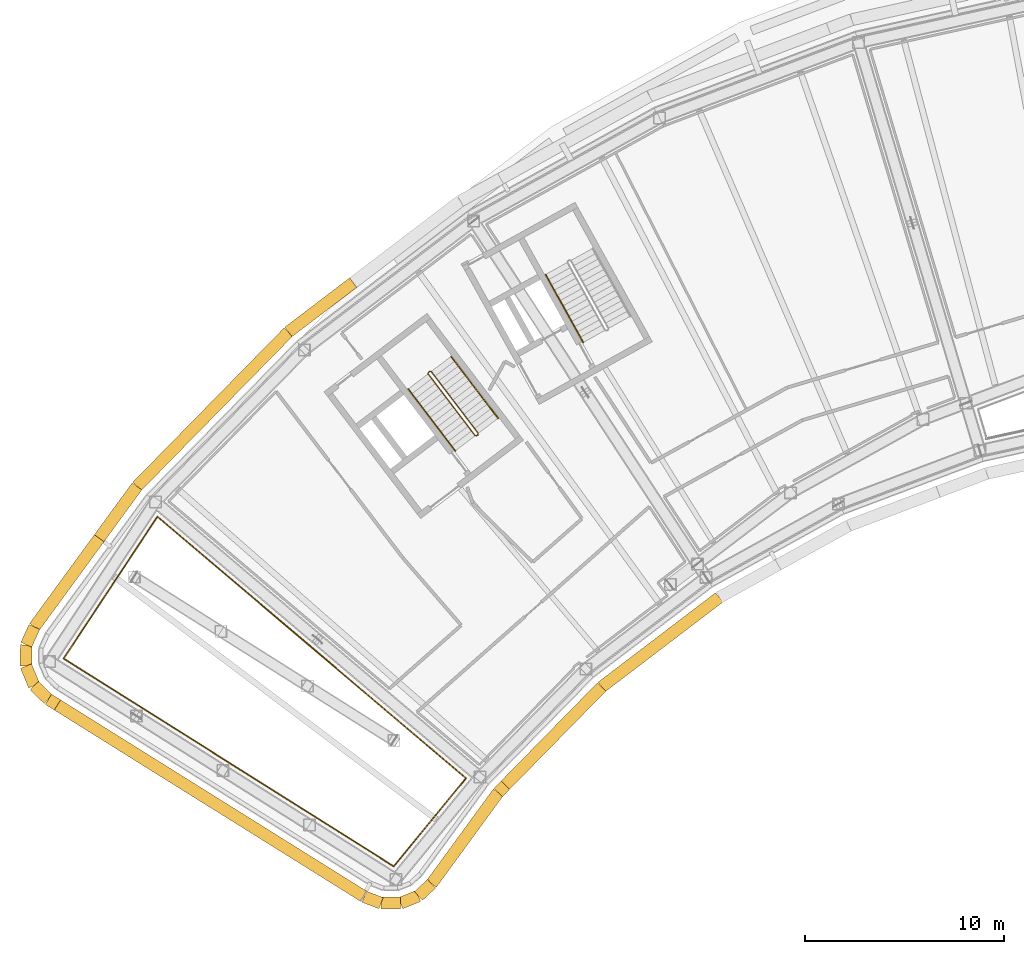
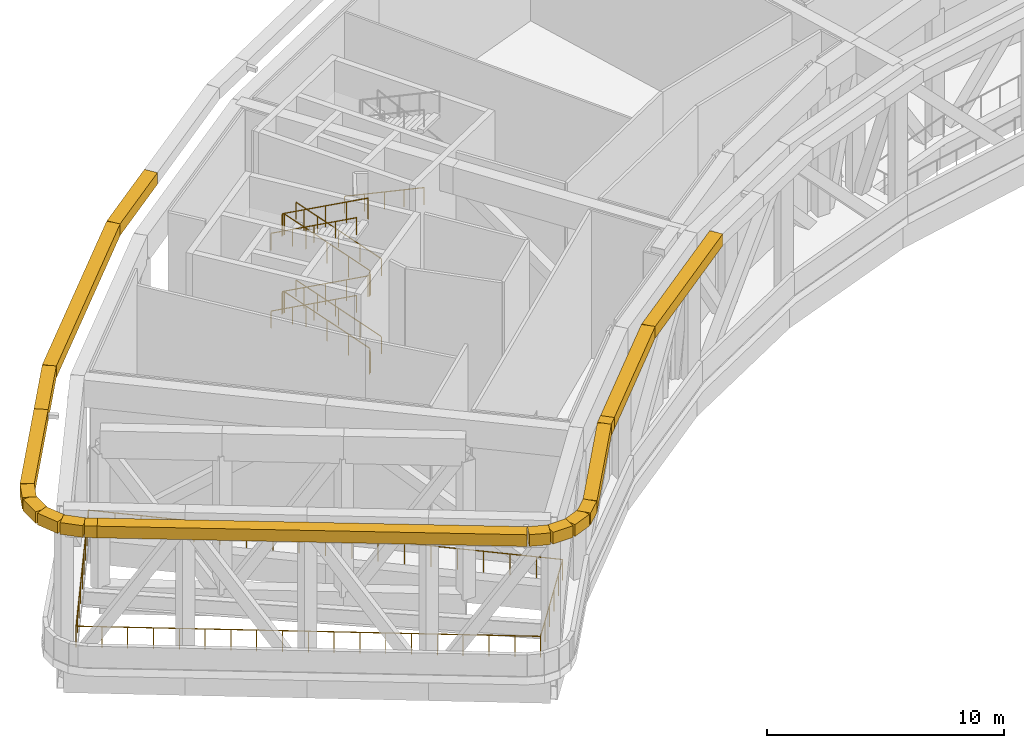
# One storey, part 20 of 24: 18 coverings, 12 railings.
"""IFC4 building model written with IfcOpenShell, lengths in metres."""

from ifc_helpers import new_model, si_unit, direction, frame, origin, origin_2d, place, context, subcontext, project, spatial, rectangle, circle, extrude, material, material_profile, profile_set, type_object, element, save


model = new_model("IFC4")

# Units and contexts
model_context = context("Model", 3, precision=1e-05, world=origin(), true_north=direction((0.0, 1.0)))
body_context = subcontext(model_context, "Body", "Model", "MODEL_VIEW")
ifc_project = project(units=[si_unit("LENGTHUNIT", "METRE"), si_unit("AREAUNIT", "SQUARE_METRE"), si_unit("VOLUMEUNIT", "CUBIC_METRE"), si_unit("PLANEANGLEUNIT", "RADIAN"), si_unit("MASSUNIT", "GRAM", prefix="KILO")], contexts=[model_context])

# Site, building, storey
site_placement = place(None, origin())
site = spatial("IfcSite", under=ifc_project, at=site_placement, CompositionType="ELEMENT")
building_placement = place(site_placement, origin())
building = spatial("IfcBuilding", under=site, at=building_placement, Name="Tuul Gate Civic Tower", CompositionType="ELEMENT")
storey_placement = place(building_placement, frame((0.0, 0.0, 277.800048828125)))
storey = spatial("IfcBuildingStorey", under=building, at=storey_placement, Name="Wind floor 2", CompositionType="ELEMENT", Elevation=277.800048828125)

# Railings
ifc_material_1 = material(Name="Painted steel", Category="steel")
railing_type_1 = type_object("IfcRailingType", Name="Slot guard", PredefinedType="GUARDRAIL", material=ifc_material_1)
railing_1_placement = place(storey_placement, frame((-37.61962890625, -35.1767578125, 0.0)))
element("IfcRailing", 1, at=railing_1_placement, inside=storey, type_object=railing_type_1, Name="Guard", PredefinedType="GUARDRAIL", context=body_context, shape_type="SweptSolid", body=[
    extrude(circle(Radius=0.02392578125, at=origin_2d()), frame((0.0, 0.0, 1.076171875), z_axis=(0.634392496784, 0.773011099547, 0.0), x_axis=(-0.773011099547, 0.634392496784, 0.0)), (0.0, 0.0, 1.0), 5.71875),
    extrude(circle(Radius=0.02099609375, at=origin_2d()), origin(), (0.0, 0.0, 1.0), 1.052001953125),
    extrude(circle(Radius=0.02099609375, at=origin_2d()), frame((0.7255859375, 0.884033203125, 0.0)), (0.0, 0.0, 1.0), 1.052001953125),
    extrude(circle(Radius=0.02099609375, at=origin_2d()), frame((1.451171875, 1.768310546875, 0.0)), (0.0, 0.0, 1.0), 1.052001953125),
    extrude(circle(Radius=0.02099609375, at=origin_2d()), frame((2.1767578125, 2.65234375, 0.0)), (0.0, 0.0, 1.0), 1.052001953125),
    extrude(circle(Radius=0.02099609375, at=origin_2d()), frame((2.90234375, 3.53662109375, 0.0)), (0.0, 0.0, 1.0), 1.052001953125),
    extrude(circle(Radius=0.02099609375, at=origin_2d()), frame((3.6279296875, 4.420654296875, 0.0)), (0.0, 0.0, 1.0), 1.052001953125),
])
for number, where, name in (
    (2, (-33.99169921875, -30.756103515625, 0.0), "Guard"),
    (3, (-41.734619140625, -24.19287109375, 0.0), "Guard"),
):
    element("IfcRailing", number, at=place(storey_placement, frame(where)), inside=storey, type_object=railing_type_1, Name=name, PredefinedType="GUARDRAIL", context=body_context, shape_type="SweptSolid", body=[
        extrude(circle(Radius=0.02392578125, at=origin_2d()), frame((0.0, 0.0, 1.076171875), z_axis=(-0.7628258233, 0.646604023578, 0.0), x_axis=(-0.646604023578, -0.7628258233, 0.0)), (0.0, 0.0, 1.0), 10.150390625),
        extrude(circle(Radius=0.02099609375, at=origin_2d()), origin(), (0.0, 0.0, 1.0), 1.052001953125),
        extrude(circle(Radius=0.02099609375, at=origin_2d()), frame((-0.8603515625, 0.729248046875, 0.0)), (0.0, 0.0, 1.0), 1.052001953125),
        extrude(circle(Radius=0.02099609375, at=origin_2d()), frame((-1.720703125, 1.45849609375, 0.0)), (0.0, 0.0, 1.0), 1.052001953125),
        extrude(circle(Radius=0.02099609375, at=origin_2d()), frame((-2.5810546875, 2.187744140625, 0.0)), (0.0, 0.0, 1.0), 1.052001953125),
        extrude(circle(Radius=0.02099609375, at=origin_2d()), frame((-3.44140625, 2.9169921875, 0.0)), (0.0, 0.0, 1.0), 1.052001953125),
        extrude(circle(Radius=0.02099609375, at=origin_2d()), frame((-4.301513671875, 3.646240234375, 0.0)), (0.0, 0.0, 1.0), 1.052001953125),
        extrude(circle(Radius=0.02099609375, at=origin_2d()), frame((-5.161865234375, 4.37548828125, 0.0)), (0.0, 0.0, 1.0), 1.052001953125),
        extrude(circle(Radius=0.02099609375, at=origin_2d()), frame((-6.022216796875, 5.104736328125, 0.0)), (0.0, 0.0, 1.0), 1.052001953125),
        extrude(circle(Radius=0.02099609375, at=origin_2d()), frame((-6.882568359375, 5.833984375, 0.0)), (0.0, 0.0, 1.0), 1.052001953125),
        extrude(circle(Radius=0.02099609375, at=origin_2d()), frame((-7.742919921875, 6.563232421875, 0.0)), (0.0, 0.0, 1.0), 1.052001953125),
    ])
railing_2_placement = place(storey_placement, frame((-49.4775390625, -17.629638671875, 0.0)))
element("IfcRailing", 4, at=railing_2_placement, inside=storey, type_object=railing_type_1, Name="Guard", PredefinedType="GUARDRAIL", context=body_context, shape_type="SweptSolid", body=[
    extrude(circle(Radius=0.02392578125, at=origin_2d()), frame((0.0, 0.0, 1.076171875), z_axis=(-0.551599397514, -0.834109168312, 0.0), x_axis=(0.834109168312, -0.551599397514, 0.0)), (0.0, 0.0, 1.0), 8.531982421875),
    extrude(circle(Radius=0.02099609375, at=origin_2d()), origin(), (0.0, 0.0, 1.0), 1.052001953125),
    extrude(circle(Radius=0.02099609375, at=origin_2d()), frame((-0.58837890625, -0.8896484375, 0.0)), (0.0, 0.0, 1.0), 1.052001953125),
    extrude(circle(Radius=0.02099609375, at=origin_2d()), frame((-1.176513671875, -1.779296875, 0.0)), (0.0, 0.0, 1.0), 1.052001953125),
    extrude(circle(Radius=0.02099609375, at=origin_2d()), frame((-1.764892578125, -2.668701171875, 0.0)), (0.0, 0.0, 1.0), 1.052001953125),
    extrude(circle(Radius=0.02099609375, at=origin_2d()), frame((-2.35302734375, -3.558349609375, 0.0)), (0.0, 0.0, 1.0), 1.052001953125),
    extrude(circle(Radius=0.02099609375, at=origin_2d()), frame((-2.94140625, -4.447998046875, 0.0)), (0.0, 0.0, 1.0), 1.052001953125),
    extrude(circle(Radius=0.02099609375, at=origin_2d()), frame((-3.52978515625, -5.33740234375, 0.0)), (0.0, 0.0, 1.0), 1.052001953125),
    extrude(circle(Radius=0.02099609375, at=origin_2d()), frame((-4.117919921875, -6.22705078125, 0.0)), (0.0, 0.0, 1.0), 1.052001953125),
    extrude(circle(Radius=0.02099609375, at=origin_2d()), frame((-4.706298828125, -7.11669921875, 0.0)), (0.0, 0.0, 1.0), 1.052001953125),
])
railing_3_placement = place(storey_placement, frame((-54.183837890625, -24.746337890625, 0.0)))
element("IfcRailing", 5, at=railing_3_placement, inside=storey, type_object=railing_type_1, Name="Guard", PredefinedType="GUARDRAIL", context=body_context, shape_type="SweptSolid", body=[
    extrude(circle(Radius=0.02392578125, at=origin_2d()), frame((0.0, 0.0, 1.076171875), z_axis=(0.846198263712, -0.532868181158, 0.0), x_axis=(0.532868181158, 0.846198263712, 0.0)), (0.0, 0.0, 1.0), 9.787353515625),
    extrude(circle(Radius=0.02099609375, at=origin_2d()), origin(), (0.0, 0.0, 1.0), 1.052001953125),
    extrude(circle(Radius=0.02099609375, at=origin_2d()), frame((0.920166015625, -0.57958984375, 0.0)), (0.0, 0.0, 1.0), 1.052001953125),
    extrude(circle(Radius=0.02099609375, at=origin_2d()), frame((1.84033203125, -1.158935546875, 0.0)), (0.0, 0.0, 1.0), 1.052001953125),
    extrude(circle(Radius=0.02099609375, at=origin_2d()), frame((2.7607421875, -1.738525390625, 0.0)), (0.0, 0.0, 1.0), 1.052001953125),
    extrude(circle(Radius=0.02099609375, at=origin_2d()), frame((3.680908203125, -2.31787109375, 0.0)), (0.0, 0.0, 1.0), 1.052001953125),
    extrude(circle(Radius=0.02099609375, at=origin_2d()), frame((4.60107421875, -2.8974609375, 0.0)), (0.0, 0.0, 1.0), 1.052001953125),
    extrude(circle(Radius=0.02099609375, at=origin_2d()), frame((5.521240234375, -3.476806640625, 0.0)), (0.0, 0.0, 1.0), 1.052001953125),
    extrude(circle(Radius=0.02099609375, at=origin_2d()), frame((6.441650390625, -4.056396484375, 0.0)), (0.0, 0.0, 1.0), 1.052001953125),
    extrude(circle(Radius=0.02099609375, at=origin_2d()), frame((7.36181640625, -4.6357421875, 0.0)), (0.0, 0.0, 1.0), 1.052001953125),
    extrude(circle(Radius=0.02099609375, at=origin_2d()), frame((8.281982421875, -5.21533203125, 0.0)), (0.0, 0.0, 1.0), 1.052001953125),
])
railing_4_placement = place(storey_placement, frame((-45.90185546875, -29.961669921875, 0.0)))
element("IfcRailing", 6, at=railing_4_placement, inside=storey, type_object=railing_type_1, Name="Guard", PredefinedType="GUARDRAIL", context=body_context, shape_type="SweptSolid", body=[
    extrude(circle(Radius=0.02392578125, at=origin_2d()), frame((0.0, 0.0, 1.076171875), z_axis=(0.846216593929, -0.53283907154, 0.0), x_axis=(0.53283907154, 0.846216593929, 0.0)), (0.0, 0.0, 1.0), 9.787353515625),
    extrude(circle(Radius=0.02099609375, at=origin_2d()), origin(), (0.0, 0.0, 1.0), 1.052001953125),
    extrude(circle(Radius=0.02099609375, at=origin_2d()), frame((0.920166015625, -0.579345703125, 0.0)), (0.0, 0.0, 1.0), 1.052001953125),
    extrude(circle(Radius=0.02099609375, at=origin_2d()), frame((1.840576171875, -1.158935546875, 0.0)), (0.0, 0.0, 1.0), 1.052001953125),
    extrude(circle(Radius=0.02099609375, at=origin_2d()), frame((2.7607421875, -1.73828125, 0.0)), (0.0, 0.0, 1.0), 1.052001953125),
    extrude(circle(Radius=0.02099609375, at=origin_2d()), frame((3.680908203125, -2.31787109375, 0.0)), (0.0, 0.0, 1.0), 1.052001953125),
    extrude(circle(Radius=0.02099609375, at=origin_2d()), frame((4.601318359375, -2.897216796875, 0.0)), (0.0, 0.0, 1.0), 1.052001953125),
    extrude(circle(Radius=0.02099609375, at=origin_2d()), frame((5.521484375, -3.476806640625, 0.0)), (0.0, 0.0, 1.0), 1.052001953125),
    extrude(circle(Radius=0.02099609375, at=origin_2d()), frame((6.441650390625, -4.05615234375, 0.0)), (0.0, 0.0, 1.0), 1.052001953125),
    extrude(circle(Radius=0.02099609375, at=origin_2d()), frame((7.362060546875, -4.6357421875, 0.0)), (0.0, 0.0, 1.0), 1.052001953125),
    extrude(circle(Radius=0.02099609375, at=origin_2d()), frame((8.2822265625, -5.215087890625, 0.0)), (0.0, 0.0, 1.0), 1.052001953125),
])
ifc_material_2 = material(Name="Painted steel", Category="steel")
railing_type_2 = type_object("IfcRailingType", Name="Stair guard", PredefinedType="GUARDRAIL", material=ifc_material_2)
railing_5_placement = place(storey_placement, frame((-33.382080078125, -13.515380859375, 0.0)))
element("IfcRailing", 7, at=railing_5_placement, inside=storey, type_object=railing_type_2, Name="Wind floor 2 ST-1 stair guard 1", PredefinedType="GUARDRAIL", context=body_context, shape_type="SweptSolid", body=[
    extrude(circle(Radius=0.02392578125, at=origin_2d()), frame((0.0, 0.0, 1.076171875), z_axis=(-0.795879841968, -0.605454603706, 0.0), x_axis=(0.605454603706, -0.795879841968, 0.0)), (0.0, 0.0, 1.0), 0.10009765625),
    extrude(circle(Radius=0.02392578125, at=origin_2d()), frame((-0.07958984375, -0.060546875, 1.076171875), z_axis=(0.418223097121, 0.613011936876, 0.670302772098), x_axis=(-0.826063974707, 0.563576356576, 0.0)), (0.0, 0.0, 1.0), 0.213134765625),
    extrude(circle(Radius=0.02392578125, at=origin_2d()), frame((0.009521484375, 0.070068359375, 1.21875), z_axis=(-0.546928435386, 0.718348704532, 0.429935373357), x_axis=(-0.795637165283, -0.60577347352, 0.0)), (0.0, 0.0, 1.0), 4.319580078125),
    extrude(circle(Radius=0.02392578125, at=origin_2d()), frame((-2.35302734375, 3.173095703125, 3.076171875), z_axis=(-0.990893089246, 0.134650977284, 0.0), x_axis=(-0.134650977284, -0.990893089246, 0.0)), (0.0, 0.0, 1.0), 0.07080078125),
    extrude(circle(Radius=0.02392578125, at=origin_2d()), frame((-2.423095703125, 3.1826171875, 3.076171875), z_axis=(-0.793802879778, -0.60817512943, 0.0), x_axis=(0.60817512943, -0.793802879778, 0.0)), (0.0, 0.0, 1.0), 0.099853515625),
    extrude(circle(Radius=0.02392578125, at=origin_2d()), frame((-2.50244140625, 3.121826171875, 3.076171875), z_axis=(-0.059744949149, -0.439661548869, 0.896174237242), x_axis=(0.990893089246, -0.134650977284, 0.0)), (0.0, 0.0, 1.0), 0.159423828125),
    extrude(circle(Radius=0.02392578125, at=origin_2d()), frame((-2.511962890625, 3.0517578125, 3.21875), z_axis=(0.546911027036, -0.718343555457, 0.429966120573), x_axis=(0.795644365679, 0.605764016233, 0.0)), (0.0, 0.0, 1.0), 4.3193359375),
    extrude(circle(Radius=0.02392578125, at=origin_2d()), frame((-0.149658203125, -0.051025390625, 5.076171875), z_axis=(0.946499470085, 0.32270536582, 0.0), x_axis=(-0.32270536582, 0.946499470085, 0.0)), (0.0, 0.0, 1.0), 0.158203125),
    extrude(circle(Radius=0.02392578125, at=origin_2d()), frame((0.0, 0.0, 5.076171875), z_axis=(-0.795879841968, -0.605454603706, 0.0), x_axis=(0.605454603706, -0.795879841968, 0.0)), (0.0, 0.0, 1.0), 0.10009765625),
    extrude(circle(Radius=0.02392578125, at=origin_2d()), frame((-0.07958984375, -0.060546875, 5.076171875), z_axis=(0.418223097121, 0.613011936876, 0.670302772098), x_axis=(-0.826063974707, 0.563576356576, 0.0)), (0.0, 0.0, 1.0), 0.213134765625),
    extrude(circle(Radius=0.02392578125, at=origin_2d()), frame((0.009521484375, 0.070068359375, 5.21875), z_axis=(-0.546928435386, 0.718348704532, 0.429935373357), x_axis=(-0.795637165283, -0.60577347352, 0.0)), (0.0, 0.0, 1.0), 4.319580078125),
    extrude(circle(Radius=0.02392578125, at=origin_2d()), frame((-2.35302734375, 3.173095703125, 7.076171875), z_axis=(-0.990893089246, 0.134650977284, 0.0), x_axis=(-0.134650977284, -0.990893089246, 0.0)), (0.0, 0.0, 1.0), 0.07080078125),
    extrude(circle(Radius=0.02392578125, at=origin_2d()), frame((-2.423095703125, 3.1826171875, 7.076171875), z_axis=(-0.793802879778, -0.60817512943, 0.0), x_axis=(0.60817512943, -0.793802879778, 0.0)), (0.0, 0.0, 1.0), 0.099853515625),
    extrude(circle(Radius=0.02392578125, at=origin_2d()), frame((-2.50244140625, 3.121826171875, 7.076171875), z_axis=(-0.059744949149, -0.439661548869, 0.896174237242), x_axis=(0.990893089246, -0.134650977284, 0.0)), (0.0, 0.0, 1.0), 0.159423828125),
    extrude(circle(Radius=0.02392578125, at=origin_2d()), frame((-2.511962890625, 3.0517578125, 7.21875), z_axis=(0.546911027036, -0.718343555457, 0.429966120573), x_axis=(0.795644365679, 0.605764016233, 0.0)), (0.0, 0.0, 1.0), 4.3193359375),
    extrude(circle(Radius=0.02099609375, at=origin_2d()), origin(), (0.0, 0.0, 1.0), 1.052001953125),
    extrude(circle(Radius=0.02099609375, at=origin_2d()), frame((-0.07958984375, -0.060546875, 0.0)), (0.0, 0.0, 1.0), 1.052001953125),
    extrude(circle(Radius=0.02099609375, at=origin_2d()), frame((0.009521484375, 0.070068359375, 0.142822265625)), (0.0, 0.0, 1.0), 1.052001953125),
    extrude(circle(Radius=0.02099609375, at=origin_2d()), frame((-0.5810546875, 0.845703125, 0.607177734375)), (0.0, 0.0, 1.0), 1.052001953125),
    extrude(circle(Radius=0.02099609375, at=origin_2d()), frame((-1.171875, 1.62158203125, 1.0712890625)), (0.0, 0.0, 1.0), 1.052001953125),
    extrude(circle(Radius=0.02099609375, at=origin_2d()), frame((-1.762451171875, 2.3974609375, 1.53564453125)), (0.0, 0.0, 1.0), 1.052001953125),
    extrude(circle(Radius=0.02099609375, at=origin_2d()), frame((-2.35302734375, 3.173095703125, 2.0)), (0.0, 0.0, 1.0), 1.052001953125),
    extrude(circle(Radius=0.02099609375, at=origin_2d()), frame((-2.423095703125, 3.1826171875, 2.0)), (0.0, 0.0, 1.0), 1.052001953125),
    extrude(circle(Radius=0.02099609375, at=origin_2d()), frame((-2.50244140625, 3.121826171875, 2.0)), (0.0, 0.0, 1.0), 1.052001953125),
    extrude(circle(Radius=0.02099609375, at=origin_2d()), frame((-2.511962890625, 3.0517578125, 2.142822265625)), (0.0, 0.0, 1.0), 1.052001953125),
    extrude(circle(Radius=0.02099609375, at=origin_2d()), frame((-1.92138671875, 2.276123046875, 2.607177734375)), (0.0, 0.0, 1.0), 1.052001953125),
    extrude(circle(Radius=0.02099609375, at=origin_2d()), frame((-1.330810546875, 1.50048828125, 3.0712890625)), (0.0, 0.0, 1.0), 1.052001953125),
    extrude(circle(Radius=0.02099609375, at=origin_2d()), frame((-0.740234375, 0.724609375, 3.53564453125)), (0.0, 0.0, 1.0), 1.052001953125),
    extrude(circle(Radius=0.02099609375, at=origin_2d()), frame((-0.149658203125, -0.051025390625, 4.0)), (0.0, 0.0, 1.0), 1.052001953125),
    extrude(circle(Radius=0.02099609375, at=origin_2d()), frame((0.0, 0.0, 4.0)), (0.0, 0.0, 1.0), 1.052001953125),
    extrude(circle(Radius=0.02099609375, at=origin_2d()), frame((-0.07958984375, -0.060546875, 4.0)), (0.0, 0.0, 1.0), 1.052001953125),
    extrude(circle(Radius=0.02099609375, at=origin_2d()), frame((0.009521484375, 0.070068359375, 4.142822265625)), (0.0, 0.0, 1.0), 1.052001953125),
    extrude(circle(Radius=0.02099609375, at=origin_2d()), frame((-0.5810546875, 0.845703125, 4.607177734375)), (0.0, 0.0, 1.0), 1.052001953125),
    extrude(circle(Radius=0.02099609375, at=origin_2d()), frame((-1.171875, 1.62158203125, 5.0712890625)), (0.0, 0.0, 1.0), 1.052001953125),
    extrude(circle(Radius=0.02099609375, at=origin_2d()), frame((-1.762451171875, 2.3974609375, 5.53564453125)), (0.0, 0.0, 1.0), 1.052001953125),
    extrude(circle(Radius=0.02099609375, at=origin_2d()), frame((-2.35302734375, 3.173095703125, 6.0)), (0.0, 0.0, 1.0), 1.052001953125),
    extrude(circle(Radius=0.02099609375, at=origin_2d()), frame((-2.423095703125, 3.1826171875, 6.0)), (0.0, 0.0, 1.0), 1.052001953125),
    extrude(circle(Radius=0.02099609375, at=origin_2d()), frame((-2.50244140625, 3.121826171875, 6.0)), (0.0, 0.0, 1.0), 1.052001953125),
    extrude(circle(Radius=0.02099609375, at=origin_2d()), frame((-2.511962890625, 3.0517578125, 6.142822265625)), (0.0, 0.0, 1.0), 1.052001953125),
    extrude(circle(Radius=0.02099609375, at=origin_2d()), frame((-1.92138671875, 2.276123046875, 6.607177734375)), (0.0, 0.0, 1.0), 1.052001953125),
    extrude(circle(Radius=0.02099609375, at=origin_2d()), frame((-1.330810546875, 1.50048828125, 7.0712890625)), (0.0, 0.0, 1.0), 1.052001953125),
    extrude(circle(Radius=0.02099609375, at=origin_2d()), frame((-0.740234375, 0.724609375, 7.53564453125)), (0.0, 0.0, 1.0), 1.052001953125),
    extrude(circle(Radius=0.02099609375, at=origin_2d()), frame((-0.149658203125, -0.051025390625, 8.0)), (0.0, 0.0, 1.0), 1.052001953125),
])
ifc_material_3 = material(Name="Painted steel", Category="steel")
railing_type_3 = type_object("IfcRailingType", Name="Stair handrail", PredefinedType="HANDRAIL", material=ifc_material_3)
railing_6_placement = place(storey_placement, frame((-32.3779296875, -12.688232421875, 0.142822265625)))
element("IfcRailing", 8, at=railing_6_placement, inside=storey, type_object=railing_type_3, Name="Wind floor 2 ST-1 stair handrail 1", PredefinedType="HANDRAIL", context=body_context, shape_type="SweptSolid", body=[
    extrude(circle(Radius=0.02392578125, at=origin_2d()), frame((0.0, 0.0, 0.8759765625), z_axis=(-0.546928435386, 0.718348704532, 0.429935373357), x_axis=(-0.795637165283, -0.60577347352, 0.0)), (0.0, 0.0, 1.0), 4.319580078125),
    extrude(circle(Radius=0.02099609375, at=origin_2d()), origin(), (0.0, 0.0, 1.0), 0.851806640625),
    extrude(circle(Radius=0.02099609375, at=origin_2d()), frame((-0.590576171875, 0.77587890625, 0.46435546875)), (0.0, 0.0, 1.0), 0.851806640625),
    extrude(circle(Radius=0.02099609375, at=origin_2d()), frame((-1.18115234375, 1.551513671875, 0.9287109375)), (0.0, 0.0, 1.0), 0.851806640625),
    extrude(circle(Radius=0.02099609375, at=origin_2d()), frame((-1.77197265625, 2.3271484375, 1.392822265625)), (0.0, 0.0, 1.0), 0.851806640625),
    extrude(circle(Radius=0.02099609375, at=origin_2d()), frame((-2.362548828125, 3.10302734375, 1.857177734375)), (0.0, 0.0, 1.0), 0.851806640625),
])
railing_7_placement = place(storey_placement, frame((-36.888671875, -11.220703125, 2.142822265625)))
element("IfcRailing", 9, at=railing_7_placement, inside=storey, type_object=railing_type_3, Name="Wind floor 2 ST-1 stair handrail 2", PredefinedType="HANDRAIL", context=body_context, shape_type="SweptSolid", body=[
    extrude(circle(Radius=0.02392578125, at=origin_2d()), frame((0.0, 0.0, 0.8759765625), z_axis=(0.546928435386, -0.718348704532, 0.429935373357), x_axis=(0.795637165283, 0.60577347352, 0.0)), (0.0, 0.0, 1.0), 4.319580078125),
    extrude(circle(Radius=0.02099609375, at=origin_2d()), origin(), (0.0, 0.0, 1.0), 0.851806640625),
    extrude(circle(Radius=0.02099609375, at=origin_2d()), frame((0.590576171875, -0.77587890625, 0.46435546875)), (0.0, 0.0, 1.0), 0.851806640625),
    extrude(circle(Radius=0.02099609375, at=origin_2d()), frame((1.18115234375, -1.551513671875, 0.9287109375)), (0.0, 0.0, 1.0), 0.851806640625),
    extrude(circle(Radius=0.02099609375, at=origin_2d()), frame((1.77197265625, -2.3271484375, 1.392822265625)), (0.0, 0.0, 1.0), 0.851806640625),
    extrude(circle(Radius=0.02099609375, at=origin_2d()), frame((2.362548828125, -3.10302734375, 1.857177734375)), (0.0, 0.0, 1.0), 0.851806640625),
])
railing_8_placement = place(storey_placement, frame((-32.3779296875, -12.688232421875, 4.142822265625)))
element("IfcRailing", 10, at=railing_8_placement, inside=storey, type_object=railing_type_3, Name="Wind floor 2 ST-1 stair handrail 3", PredefinedType="HANDRAIL", context=body_context, shape_type="SweptSolid", body=[
    extrude(circle(Radius=0.02392578125, at=origin_2d()), frame((0.0, 0.0, 0.8759765625), z_axis=(-0.546928435386, 0.718348704532, 0.429935373357), x_axis=(-0.795637165283, -0.60577347352, 0.0)), (0.0, 0.0, 1.0), 4.319580078125),
    extrude(circle(Radius=0.02099609375, at=origin_2d()), origin(), (0.0, 0.0, 1.0), 0.851806640625),
    extrude(circle(Radius=0.02099609375, at=origin_2d()), frame((-0.590576171875, 0.77587890625, 0.46435546875)), (0.0, 0.0, 1.0), 0.851806640625),
    extrude(circle(Radius=0.02099609375, at=origin_2d()), frame((-1.18115234375, 1.551513671875, 0.9287109375)), (0.0, 0.0, 1.0), 0.851806640625),
    extrude(circle(Radius=0.02099609375, at=origin_2d()), frame((-1.77197265625, 2.3271484375, 1.392822265625)), (0.0, 0.0, 1.0), 0.851806640625),
    extrude(circle(Radius=0.02099609375, at=origin_2d()), frame((-2.362548828125, 3.10302734375, 1.857177734375)), (0.0, 0.0, 1.0), 0.851806640625),
])
railing_9_placement = place(storey_placement, frame((-36.888671875, -11.220703125, 6.142822265625)))
element("IfcRailing", 11, at=railing_9_placement, inside=storey, type_object=railing_type_3, Name="Wind floor 2 ST-1 stair handrail 4", PredefinedType="HANDRAIL", context=body_context, shape_type="SweptSolid", body=[
    extrude(circle(Radius=0.02392578125, at=origin_2d()), frame((0.0, 0.0, 0.8759765625), z_axis=(0.546928435386, -0.718348704532, 0.429935373357), x_axis=(0.795637165283, 0.60577347352, 0.0)), (0.0, 0.0, 1.0), 4.319580078125),
    extrude(circle(Radius=0.02099609375, at=origin_2d()), origin(), (0.0, 0.0, 1.0), 0.851806640625),
    extrude(circle(Radius=0.02099609375, at=origin_2d()), frame((0.590576171875, -0.77587890625, 0.46435546875)), (0.0, 0.0, 1.0), 0.851806640625),
    extrude(circle(Radius=0.02099609375, at=origin_2d()), frame((1.18115234375, -1.551513671875, 0.9287109375)), (0.0, 0.0, 1.0), 0.851806640625),
    extrude(circle(Radius=0.02099609375, at=origin_2d()), frame((1.77197265625, -2.3271484375, 1.392822265625)), (0.0, 0.0, 1.0), 0.851806640625),
    extrude(circle(Radius=0.02099609375, at=origin_2d()), frame((2.362548828125, -3.10302734375, 1.857177734375)), (0.0, 0.0, 1.0), 0.851806640625),
])
railing_10_placement = place(storey_placement, frame((-29.9970703125, -5.47119140625, 2.142822265625)))
element("IfcRailing", 12, at=railing_10_placement, inside=storey, type_object=railing_type_3, Name="Wind floor 2 ST-2 stair handrail 2", PredefinedType="HANDRAIL", context=body_context, shape_type="SweptSolid", body=[
    extrude(circle(Radius=0.02392578125, at=origin_2d()), frame((0.0, 0.0, 0.8759765625), z_axis=(0.43767986673, -0.789677569467, 0.429936821567), x_axis=(0.874641102302, 0.484771020343, 0.0)), (0.0, 0.0, 1.0), 4.319580078125),
    extrude(circle(Radius=0.02099609375, at=origin_2d()), origin(), (0.0, 0.0, 1.0), 0.851806640625),
    extrude(circle(Radius=0.02099609375, at=origin_2d()), frame((0.47265625, -0.852783203125, 0.46435546875)), (0.0, 0.0, 1.0), 0.851806640625),
    extrude(circle(Radius=0.02099609375, at=origin_2d()), frame((0.9453125, -1.70556640625, 0.9287109375)), (0.0, 0.0, 1.0), 0.851806640625),
    extrude(circle(Radius=0.02099609375, at=origin_2d()), frame((1.41796875, -2.558349609375, 1.392822265625)), (0.0, 0.0, 1.0), 0.851806640625),
    extrude(circle(Radius=0.02099609375, at=origin_2d()), frame((1.890625, -3.4111328125, 1.857177734375)), (0.0, 0.0, 1.0), 0.851806640625),
])

# Coverings
ifc_material_4 = material(Name="Terracotta baguette", Category="masonry")
ifc_material_profile = material_profile(ifc_material_4, rectangle(XDim=0.60009765625, YDim=0.60009765625, at=origin_2d()), Name="Terracotta baguette screen frame")
ifc_profile_set = profile_set([ifc_material_profile], Name="Terracotta baguette")
covering_type = type_object("IfcCoveringType", Name="Terracotta baguette screen frame", PredefinedType="CLADDING", material=ifc_profile_set)
covering_1_placement = place(storey_placement, frame((-52.40185546875, -18.707763671875, 7.64990234375), z_axis=(-0.589747855269, -0.807587436261, 0.0), x_axis=(0.807587436261, -0.589747855269, 0.0)))
element("IfcCovering", 13, at=covering_1_placement, inside=storey, type_object=covering_type, Name="Baguette 129", PredefinedType="CLADDING", context=body_context, shape_type="SweptSolid", body=[
    extrude(rectangle(XDim=0.60009765625, YDim=0.60009765625, at=origin_2d()), origin(), (0.0, 0.0, 1.0), 5.512939453125),
])
covering_2_placement = place(storey_placement, frame((-55.653076171875, -23.159912109375, 7.64990234375), z_axis=(-0.413393330634, -0.910552554325, 0.0), x_axis=(0.910552554325, -0.413393330634, 0.0)))
element("IfcCovering", 14, at=covering_2_placement, inside=storey, type_object=covering_type, Name="Baguette 130", PredefinedType="CLADDING", context=body_context, shape_type="SweptSolid", body=[
    extrude(rectangle(XDim=0.60009765625, YDim=0.60009765625, at=origin_2d()), origin(), (0.0, 0.0, 1.0), 0.988037109375),
])
covering_3_placement = place(storey_placement, frame((-56.0615234375, -24.0595703125, 7.64990234375), z_axis=(-0.014627006458, -0.999893019619, 0.0), x_axis=(0.999893019619, -0.014627006458, 0.0)))
element("IfcCovering", 15, at=covering_3_placement, inside=storey, type_object=covering_type, Name="Baguette 131", PredefinedType="CLADDING", context=body_context, shape_type="SweptSolid", body=[
    extrude(rectangle(XDim=0.60009765625, YDim=0.60009765625, at=origin_2d()), origin(), (0.0, 0.0, 1.0), 1.068115234375),
])
covering_4_placement = place(storey_placement, frame((-56.0771484375, -25.127685546875, 7.64990234375), z_axis=(0.386726676251, -0.922194381829, 0.0), x_axis=(0.922194381829, 0.386726676251, 0.0)))
element("IfcCovering", 16, at=covering_4_placement, inside=storey, type_object=covering_type, Name="Baguette 132", PredefinedType="CLADDING", context=body_context, shape_type="SweptSolid", body=[
    extrude(rectangle(XDim=0.60009765625, YDim=0.60009765625, at=origin_2d()), origin(), (0.0, 0.0, 1.0), 1.06689453125),
])
covering_5_placement = place(storey_placement, frame((-55.66455078125, -26.111572265625, 7.64990234375), z_axis=(0.721550422979, -0.69236189027, 0.0), x_axis=(0.69236189027, 0.721550422979, 0.0)))
element("IfcCovering", 17, at=covering_5_placement, inside=storey, type_object=covering_type, Name="Baguette 133", PredefinedType="CLADDING", context=body_context, shape_type="SweptSolid", body=[
    extrude(rectangle(XDim=0.60009765625, YDim=0.60009765625, at=origin_2d()), origin(), (0.0, 0.0, 1.0), 0.987060546875),
])
covering_6_placement = place(storey_placement, frame((-54.952392578125, -26.794921875, 7.64990234375), z_axis=(0.848304313785, -0.529509009568, 0.0), x_axis=(0.529509009568, 0.848304313785, 0.0)))
element("IfcCovering", 18, at=covering_6_placement, inside=storey, type_object=covering_type, Name="Baguette 134", PredefinedType="CLADDING", context=body_context, shape_type="SweptSolid", body=[
    extrude(rectangle(XDim=0.60009765625, YDim=0.60009765625, at=origin_2d()), origin(), (0.0, 0.0, 1.0), 0.53759765625),
])
covering_7_placement = place(storey_placement, frame((-39.0966796875, -36.702392578125, 7.64990234375), z_axis=(0.932070663417, -0.362276522007, 0.0), x_axis=(0.362276522007, 0.932070663417, 0.0)))
element("IfcCovering", 19, at=covering_7_placement, inside=storey, type_object=covering_type, Name="Baguette 158", PredefinedType="CLADDING", context=body_context, shape_type="SweptSolid", body=[
    extrude(rectangle(XDim=0.60009765625, YDim=0.60009765625, at=origin_2d()), origin(), (0.0, 0.0, 1.0), 0.90234375),
])
covering_8_placement = place(storey_placement, frame((-38.255615234375, -37.029296875, 7.64990234375), z_axis=(0.999996190252, 0.002760340801, 0.0), x_axis=(-0.002760340801, 0.999996190252, 0.0)))
element("IfcCovering", 20, at=covering_8_placement, inside=storey, type_object=covering_type, Name="Baguette 159", PredefinedType="CLADDING", context=body_context, shape_type="SweptSolid", body=[
    extrude(rectangle(XDim=0.60009765625, YDim=0.60009765625, at=origin_2d()), origin(), (0.0, 0.0, 1.0), 0.972900390625),
])
covering_9_placement = place(storey_placement, frame((-37.28271484375, -37.026611328125, 7.64990234375), z_axis=(0.92951118864, 0.368793912902, 0.0), x_axis=(-0.368793912902, 0.92951118864, 0.0)))
element("IfcCovering", 21, at=covering_9_placement, inside=storey, type_object=covering_type, Name="Baguette 160", PredefinedType="CLADDING", context=body_context, shape_type="SweptSolid", body=[
    extrude(rectangle(XDim=0.60009765625, YDim=0.60009765625, at=origin_2d()), origin(), (0.0, 0.0, 1.0), 0.97314453125),
])
covering_10_placement = place(storey_placement, frame((-36.378173828125, -36.667724609375, 7.64990234375), z_axis=(0.729874818013, 0.683580829185, 0.0), x_axis=(-0.683580829185, 0.729874818013, 0.0)))
element("IfcCovering", 22, at=covering_10_placement, inside=storey, type_object=covering_type, Name="Baguette 161", PredefinedType="CLADDING", context=body_context, shape_type="SweptSolid", body=[
    extrude(rectangle(XDim=0.60009765625, YDim=0.60009765625, at=origin_2d()), origin(), (0.0, 0.0, 1.0), 0.90185546875),
])
covering_11_placement = place(storey_placement, frame((-35.719970703125, -36.05126953125, 7.64990234375), z_axis=(0.589729447422, 0.807600878432, 0.0), x_axis=(-0.807600878432, 0.589729447422, 0.0)))
element("IfcCovering", 23, at=covering_11_placement, inside=storey, type_object=covering_type, Name="Baguette 162", PredefinedType="CLADDING", context=body_context, shape_type="SweptSolid", body=[
    extrude(rectangle(XDim=0.60009765625, YDim=0.60009765625, at=origin_2d()), origin(), (0.0, 0.0, 1.0), 5.671142578125),
])
covering_12_placement = place(storey_placement, frame((-32.37548828125, -31.47119140625, 7.64990234375), z_axis=(0.700143080351, 0.714002567948, 0.0), x_axis=(-0.714002567948, 0.700143080351, 0.0)))
element("IfcCovering", 24, at=covering_12_placement, inside=storey, type_object=covering_type, Name="Baguette 163", PredefinedType="CLADDING", context=body_context, shape_type="SweptSolid", body=[
    extrude(rectangle(XDim=0.60009765625, YDim=0.60009765625, at=origin_2d()), origin(), (0.0, 0.0, 1.0), 0.5107421875),
])
covering_13_placement = place(storey_placement, frame((-39.652587890625, -5.88037109375, 7.64990234375), z_axis=(-0.79562221551, -0.605793108402, 0.0), x_axis=(0.605793108402, -0.79562221551, 0.0)))
element("IfcCovering", 25, at=covering_13_placement, inside=storey, type_object=covering_type, Name="Baguette 382", PredefinedType="CLADDING", context=body_context, shape_type="SweptSolid", body=[
    extrude(rectangle(XDim=0.60009765625, YDim=0.60009765625, at=origin_2d()), origin(), (0.0, 0.0, 1.0), 4.088623046875),
])
covering_14_placement = place(storey_placement, frame((-42.905517578125, -8.357177734375, 7.64990234375), z_axis=(-0.70005206482, -0.714091805401, 0.0), x_axis=(0.714091805401, -0.70005206482, 0.0)))
element("IfcCovering", 26, at=covering_14_placement, inside=storey, type_object=covering_type, Name="Baguette 383", PredefinedType="CLADDING", context=body_context, shape_type="SweptSolid", body=[
    extrude(rectangle(XDim=0.60009765625, YDim=0.60009765625, at=origin_2d()), origin(), (0.0, 0.0, 1.0), 10.850830078125),
])
covering_15_placement = place(storey_placement, frame((-50.501708984375, -16.105712890625, 7.64990234375), z_axis=(-0.589742982723, -0.807590994458, 0.0), x_axis=(0.807590994458, -0.589742982723, 0.0)))
element("IfcCovering", 27, at=covering_15_placement, inside=storey, type_object=covering_type, Name="Baguette 384", PredefinedType="CLADDING", context=body_context, shape_type="SweptSolid", body=[
    extrude(rectangle(XDim=0.60009765625, YDim=0.60009765625, at=origin_2d()), origin(), (0.0, 0.0, 1.0), 3.221923828125),
])
covering_16_placement = place(storey_placement, frame((-54.496337890625, -27.07958984375, 7.64990234375), z_axis=(0.848046779804, -0.529921370832, 0.0), x_axis=(0.529921370832, 0.848046779804, 0.0)))
element("IfcCovering", 28, at=covering_16_placement, inside=storey, type_object=covering_type, Name="Baguette 385", PredefinedType="CLADDING", context=body_context, shape_type="SweptSolid", body=[
    extrude(rectangle(XDim=0.60009765625, YDim=0.60009765625, at=origin_2d()), origin(), (0.0, 0.0, 1.0), 18.10693359375),
])
covering_17_placement = place(storey_placement, frame((-32.017822265625, -31.1064453125, 7.64990234375), z_axis=(0.700038192613, 0.714105404603, 0.0), x_axis=(-0.714105404603, 0.700038192613, 0.0)))
element("IfcCovering", 29, at=covering_17_placement, inside=storey, type_object=covering_type, Name="Baguette 386", PredefinedType="CLADDING", context=body_context, shape_type="SweptSolid", body=[
    extrude(rectangle(XDim=0.60009765625, YDim=0.60009765625, at=origin_2d()), origin(), (0.0, 0.0, 1.0), 6.907470703125),
])
covering_18_placement = place(storey_placement, frame((-27.182373046875, -26.173828125, 7.64990234375), z_axis=(0.795570717168, 0.605860738111, 0.0), x_axis=(-0.605860738111, 0.795570717168, 0.0)))
element("IfcCovering", 30, at=covering_18_placement, inside=storey, type_object=covering_type, Name="Baguette 387", PredefinedType="CLADDING", context=body_context, shape_type="SweptSolid", body=[
    extrude(rectangle(XDim=0.60009765625, YDim=0.60009765625, at=origin_2d()), origin(), (0.0, 0.0, 1.0), 7.417724609375),
])

save(model, "model.ifc")
